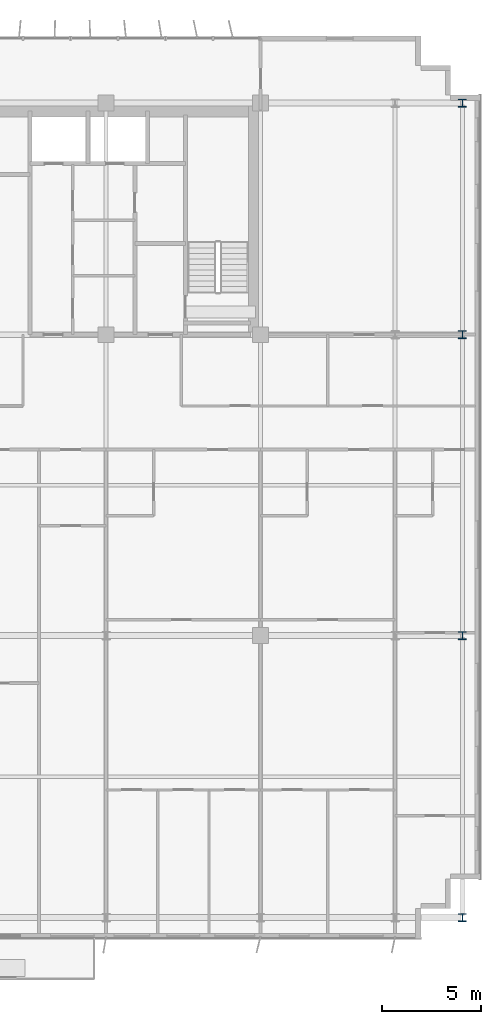
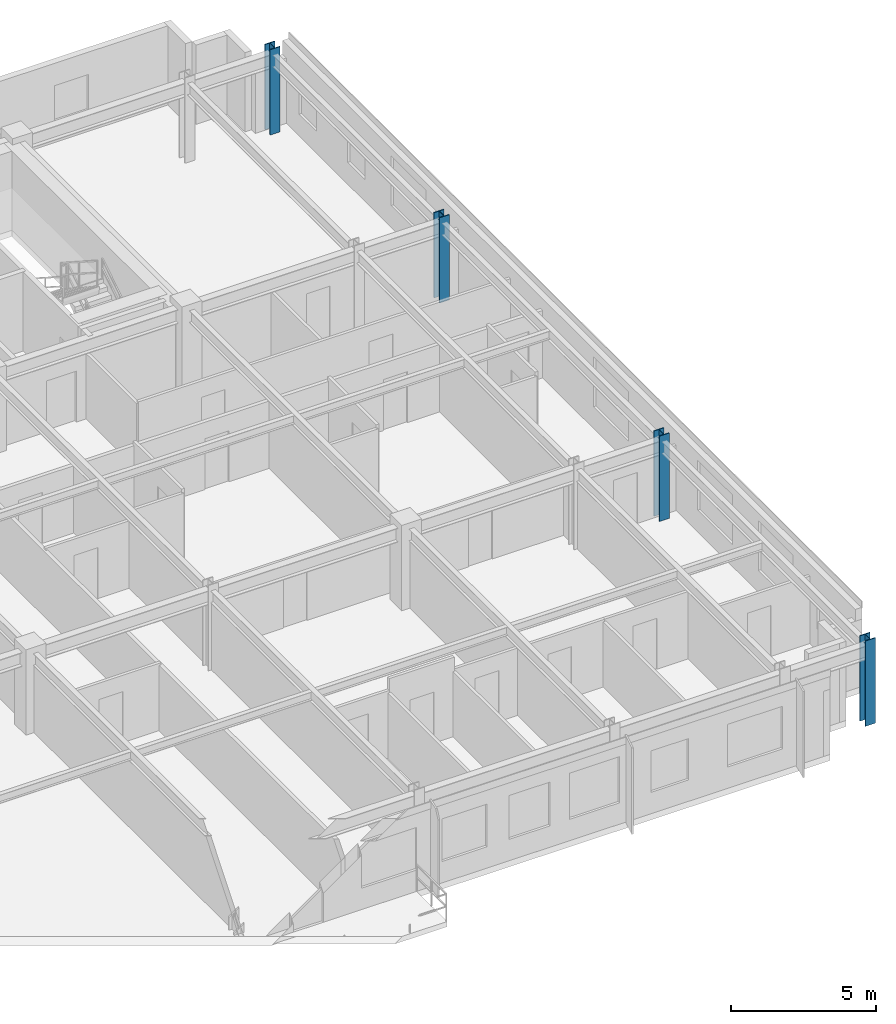
# One storey, part 3 of 22: 4 columns.
"""IFC4 building model written with IfcOpenShell, lengths in metres."""

from ifc_helpers import new_model, si_unit, direction, frame, origin, origin_2d, place, context, subcontext, project, spatial, i_section, extrude, source, transform, mapped, material, material_profile, profile_set, type_object, element, save


model = new_model("IFC4")

# Units and contexts
model_context = context("Model", 3, precision=1e-05, world=origin(), true_north=direction((0.0, 1.0)))
body_context = subcontext(model_context, "Body", "Model", "MODEL_VIEW")
ifc_project = project(units=[si_unit("LENGTHUNIT", "METRE"), si_unit("AREAUNIT", "SQUARE_METRE"), si_unit("VOLUMEUNIT", "CUBIC_METRE"), si_unit("PLANEANGLEUNIT", "RADIAN"), si_unit("MASSUNIT", "GRAM", prefix="KILO")], contexts=[model_context])

# Site, building, storey
site_placement = place(None, origin())
site = spatial("IfcSite", under=ifc_project, at=site_placement, CompositionType="ELEMENT")
building_placement = place(site_placement, origin())
building = spatial("IfcBuilding", under=site, at=building_placement, Name="Trelvane Seafront Commons", CompositionType="ELEMENT")
storey_placement = place(building_placement, frame((0.0, 0.0, 99.699951171875)))
storey = spatial("IfcBuildingStorey", under=building, at=storey_placement, Name="L25", CompositionType="ELEMENT", Elevation=99.699951171875)

# Columns
ifc_material = material(Name="Steel SM355 (S355)", Category="steel")
ifc_material_profile = material_profile(ifc_material, i_section(OverallWidth=0.39990234375, OverallDepth=0.39990234375, WebThickness=0.02197265625, FlangeThickness=0.034912109375, at=origin_2d()), Name="HD-400x400x22x35")
ifc_profile_set = profile_set([ifc_material_profile], Name="Steel SM355 (S355)")
column_type = type_object("IfcColumnType", Name="STR-COL-HD400", PredefinedType="COLUMN", material=ifc_profile_set)
shared_shape = source(origin(), body_context, "Body", "SweptSolid", [
    extrude(i_section(OverallWidth=0.39990234375, OverallDepth=0.39990234375, WebThickness=0.02197265625, FlangeThickness=0.034912109375, at=origin_2d()), origin(), (0.0, 0.0, 1.0), 3.60009765625),
])
for number, where, z_axis, x_axis, name in (
    (1, (69.0, 3.949951171875, 0.0), (0.0, 0.0, 1.0), (1.0, 0.0, 0.0), "L25 Column TC-S69.0"),
    (2, (69.0, 18.199951171875, 0.0), (0.0, 0.0, 1.0), (1.0, 0.0, 0.0), "L25 Column TC-M69.0"),
    (3, (69.0, 33.39990234375, 0.0), (0.0, 0.0, 1.0), (1.0, 0.0, 0.0), "L25 Column TC-CS69.0"),
    (4, (69.0, 45.10009765625, 0.0), (0.0, 0.0, 1.0), (1.0, 0.0, 0.0), "L25 Column TC-CN69.0"),
):
    element("IfcColumn", number, at=place(storey_placement, frame(where, z_axis=z_axis, x_axis=x_axis)), inside=storey, type_object=column_type, Name=name, PredefinedType="COLUMN", context=body_context, shape_type="MappedRepresentation", body=[
        mapped(shared_shape, transform((0.0, 0.0, 0.0), x_axis=(1.0, 0.0, 0.0), y_axis=(0.0, 1.0, 0.0), z_axis=(0.0, 0.0, 1.0), scale=1.0)),
    ])

save(model, "model.ifc")
